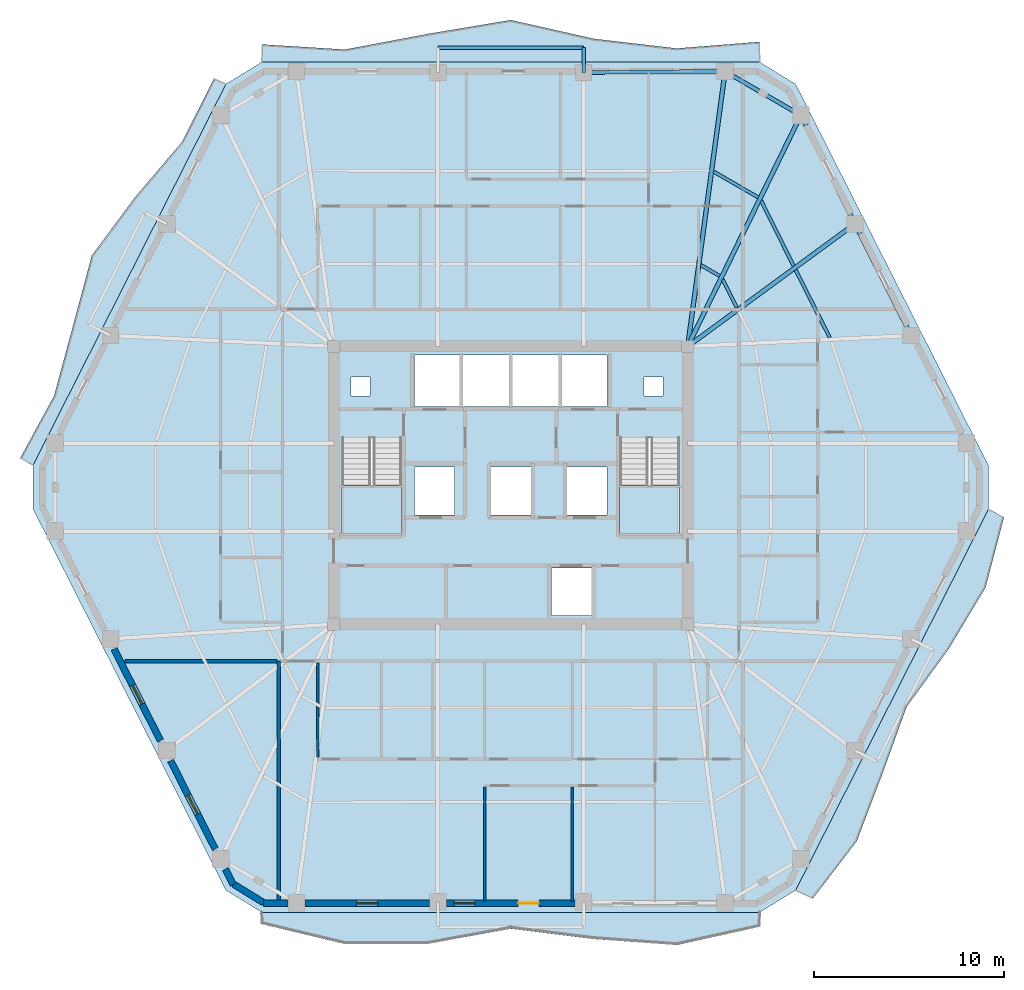
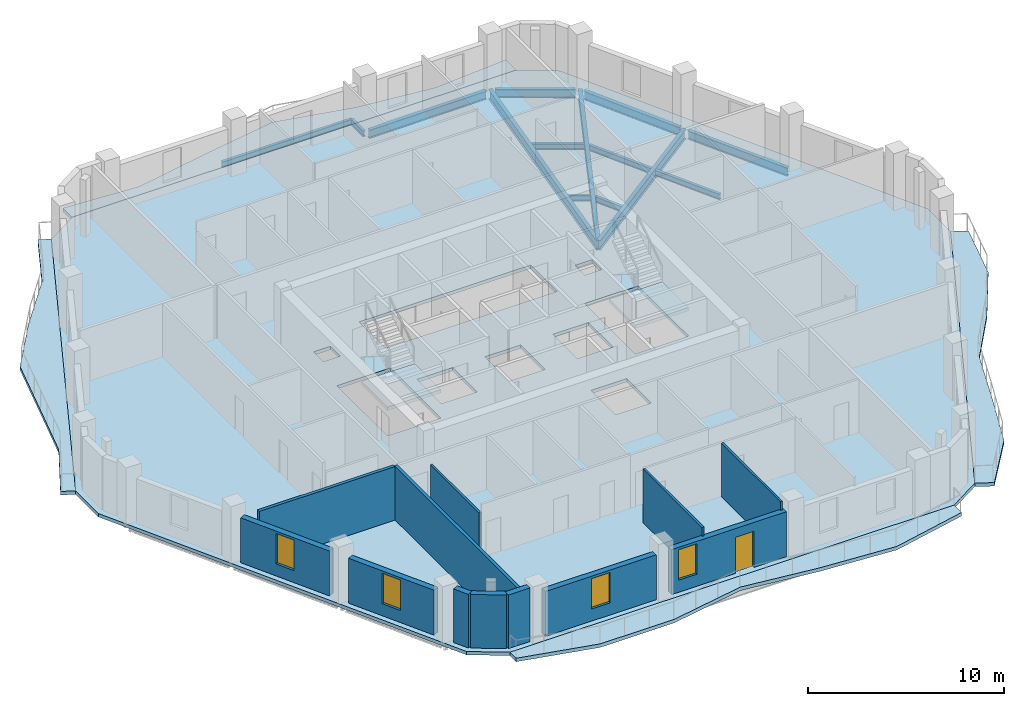
# One storey, part 3 of 10: 14 beams, 12 walls, 7 slabs, 4 windows, 1 door, 5 openings, 2 elements without a shape of their own.
"""IFC4 building model written with IfcOpenShell, lengths in metres."""

from ifc_helpers import new_model, si_unit, direction, frame, frame_2d, origin, origin_2d, place, context, subcontext, project, spatial, polyline, rectangle, i_section, outline, extrude, material, layer, layer_set, material_profile, profile_set, type_object, element, fill, aggregate, save


model = new_model("IFC4")

# Units and contexts
model_context = context("Model", 3, precision=1e-05, world=origin(), true_north=direction((0.0, 1.0)))
body_context = subcontext(model_context, "Body", "Model", "MODEL_VIEW")
ifc_project = project(units=[si_unit("LENGTHUNIT", "METRE"), si_unit("AREAUNIT", "SQUARE_METRE"), si_unit("VOLUMEUNIT", "CUBIC_METRE"), si_unit("PLANEANGLEUNIT", "RADIAN"), si_unit("MASSUNIT", "GRAM", prefix="KILO")], contexts=[model_context])

# Site, building, storey
site_placement = place(None, origin())
site = spatial("IfcSite", under=ifc_project, at=site_placement, CompositionType="ELEMENT")
building_placement = place(site_placement, origin())
building = spatial("IfcBuilding", under=site, at=building_placement, Name="Cinnabar Lancet Tower", CompositionType="ELEMENT")
storey_placement = place(building_placement, frame((0.0, 0.0, 160.60009765625)))
storey = spatial("IfcBuildingStorey", under=building, at=storey_placement, Name="L42", CompositionType="ELEMENT", Elevation=160.60009765625)

# Beams
ifc_material_1 = material(Name="Structural steel S355", Category="steel")
ifc_material_profile_1 = material_profile(ifc_material_1, i_section(OverallWidth=0.17138671875, OverallDepth=0.35498046875, WebThickness=0.00732421875, FlangeThickness=0.011474609375, FilletRadius=0.01025390625, at=origin_2d()), Name="UKB 356x171x51")
ifc_profile_set_1 = profile_set([ifc_material_profile_1], Name="Structural steel S355")
beam_type_1 = type_object("IfcBeamType", Name="STR-BM-JST-356", PredefinedType="JOIST", material=ifc_profile_set_1)
beam_1_placement = place(storey_placement, frame((49.1650390625, 33.679931640625, -0.38818359375), z_axis=(-0.450656035687, 0.892697674187, 0.0), x_axis=(-0.892697674187, -0.450656035687, 0.0)))
element("IfcBeam", 1, at=beam_1_placement, inside=storey, type_object=beam_type_1, Name="L42 Secondary Floor Joist 27", PredefinedType="JOIST", context=body_context, shape_type="SweptSolid", body=[
    extrude(i_section(OverallWidth=0.17138671875, OverallDepth=0.35498046875, WebThickness=0.00732421875, FlangeThickness=0.011474609375, FilletRadius=0.01025390625, at=origin_2d()), origin(), (0.0, 0.0, 1.0), 3.9677734375),
])
beam_2_placement = place(storey_placement, frame((47.27294921875, 37.427978515625, -0.38818359375), z_axis=(-0.4452962175, 0.895383313827, 0.0), x_axis=(-0.895383313827, -0.4452962175, 0.0)))
element("IfcBeam", 2, at=beam_2_placement, inside=storey, type_object=beam_type_1, Name="L42 Secondary Floor Joist 29", PredefinedType="JOIST", context=body_context, shape_type="SweptSolid", body=[
    extrude(i_section(OverallWidth=0.17138671875, OverallDepth=0.35498046875, WebThickness=0.00732421875, FlangeThickness=0.011474609375, FilletRadius=0.01025390625, at=origin_2d()), origin(), (0.0, 0.0, 1.0), 3.822021484375),
])
beam_3_placement = place(storey_placement, frame((44.284912109375, 35.237060546875, -0.38818359375), z_axis=(-0.445203586036, 0.895429375764, 0.0), x_axis=(-0.895429375764, -0.445203586036, 0.0)))
element("IfcBeam", 3, at=beam_3_placement, inside=storey, type_object=beam_type_1, Name="L42 Secondary Floor Joist 30", PredefinedType="JOIST", context=body_context, shape_type="SweptSolid", body=[
    extrude(i_section(OverallWidth=0.17138671875, OverallDepth=0.35498046875, WebThickness=0.00732421875, FlangeThickness=0.011474609375, FilletRadius=0.01025390625, at=origin_2d()), origin(), (0.0, 0.0, 1.0), 1.65283203125),
])
beam_4_placement = place(storey_placement, frame((45.407958984375, 41.035888671875, -0.38818359375), z_axis=(-0.865133760642, 0.501541200898, 0.0), x_axis=(-0.501541200898, -0.865133760642, 0.0)))
element("IfcBeam", 4, at=beam_4_placement, inside=storey, type_object=beam_type_1, Name="L42 Secondary Floor Joist 31", PredefinedType="JOIST", context=body_context, shape_type="SweptSolid", body=[
    extrude(i_section(OverallWidth=0.17138671875, OverallDepth=0.35498046875, WebThickness=0.00732421875, FlangeThickness=0.011474609375, FilletRadius=0.01025390625, at=origin_2d()), origin(), (0.0, 0.0, 1.0), 2.7060546875),
])
beam_5_placement = place(storey_placement, frame((43.385986328125, 36.904052734375, -0.38818359375), z_axis=(-0.865640778484, 0.500665599602, 0.0), x_axis=(-0.500665599602, -0.865640778484, 0.0)))
element("IfcBeam", 5, at=beam_5_placement, inside=storey, type_object=beam_type_1, Name="L42 Secondary Floor Joist 32", PredefinedType="JOIST", context=body_context, shape_type="SweptSolid", body=[
    extrude(i_section(OverallWidth=0.17138671875, OverallDepth=0.35498046875, WebThickness=0.00732421875, FlangeThickness=0.011474609375, FilletRadius=0.01025390625, at=origin_2d()), origin(), (0.0, 0.0, 1.0), 1.142578125),
])
ifc_material_2 = material(Name="Structural steel S355", Category="steel")
ifc_material_profile_2 = material_profile(ifc_material_2, i_section(OverallWidth=0.209228515625, OverallDepth=0.533203125, WebThickness=0.010009765625, FlangeThickness=0.015625, FilletRadius=0.0126953125, at=origin_2d()), Name="UKB 533x210x92")
ifc_profile_set_2 = profile_set([ifc_material_profile_2], Name="Structural steel S355")
beam_type_2 = type_object("IfcBeamType", Name="STR-BM-SPN-533", PredefinedType="SPANDREL", material=ifc_profile_set_2)
beam_6_placement = place(storey_placement, frame((53.339111328125, 33.9990234375, -0.47705078125), z_axis=(-0.450570325924, 0.892740937449, 0.0), x_axis=(-0.892740937449, -0.450570325924, 0.0)))
element("IfcBeam", 6, at=beam_6_placement, inside=storey, type_object=beam_type_2, Name="L42 Perimeter Spandrel 10", PredefinedType="SPANDREL", context=body_context, shape_type="SweptSolid", body=[
    extrude(i_section(OverallWidth=0.209228515625, OverallDepth=0.533203125, WebThickness=0.010009765625, FlangeThickness=0.015625, FilletRadius=0.0126953125, at=origin_2d()), origin(), (0.0, 0.0, 1.0), 6.07470703125),
])
beam_7_placement = place(storey_placement, frame((50.3779296875, 39.868896484375, -0.47705078125), z_axis=(-0.445501068635, 0.89528140707, 0.0), x_axis=(-0.89528140707, -0.445501068635, 0.0)))
element("IfcBeam", 7, at=beam_7_placement, inside=storey, type_object=beam_type_2, Name="L42 Perimeter Spandrel 11", PredefinedType="SPANDREL", context=body_context, shape_type="SweptSolid", body=[
    extrude(i_section(OverallWidth=0.209228515625, OverallDepth=0.533203125, WebThickness=0.010009765625, FlangeThickness=0.015625, FilletRadius=0.0126953125, at=origin_2d()), origin(), (0.0, 0.0, 1.0), 5.87646484375),
])
beam_8_placement = place(storey_placement, frame((47.43310546875, 45.47900390625, -0.47705078125), z_axis=(-0.865138129765, 0.5015336643, 0.0), x_axis=(-0.5015336643, -0.865138129765, 0.0)))
element("IfcBeam", 8, at=beam_8_placement, inside=storey, type_object=beam_type_2, Name="L42 Perimeter Spandrel 12", PredefinedType="SPANDREL", context=body_context, shape_type="SweptSolid", body=[
    extrude(i_section(OverallWidth=0.209228515625, OverallDepth=0.533203125, WebThickness=0.010009765625, FlangeThickness=0.015625, FilletRadius=0.0126953125, at=origin_2d()), origin(), (0.0, 0.0, 1.0), 4.10107421875),
])
beam_9_placement = place(storey_placement, frame((43.4189453125, 47.658935546875, -0.47705078125), z_axis=(-0.999975228682, -0.007038609338, 0.0), x_axis=(0.007038609338, -0.999975228682, 0.0)))
element("IfcBeam", 9, at=beam_9_placement, inside=storey, type_object=beam_type_2, Name="L42 Perimeter Spandrel 13", PredefinedType="SPANDREL", context=body_context, shape_type="SweptSolid", body=[
    extrude(i_section(OverallWidth=0.209228515625, OverallDepth=0.533203125, WebThickness=0.010009765625, FlangeThickness=0.015625, FilletRadius=0.0126953125, at=origin_2d()), origin(), (0.0, 0.0, 1.0), 6.937255859375),
])
ifc_material_3 = material(Name="Structural steel S355", Category="steel")
ifc_material_profile_3 = material_profile(ifc_material_3, i_section(OverallWidth=0.228271484375, OverallDepth=0.607666015625, WebThickness=0.010986328125, FlangeThickness=0.017333984375, FilletRadius=0.0126953125, at=origin_2d()), Name="UKB 610x229x113")
ifc_profile_set_3 = profile_set([ifc_material_profile_3], Name="Structural steel S355")
beam_type_3 = type_object("IfcBeamType", Name="STR-BM-UKB610-113", PredefinedType="BEAM", material=ifc_profile_set_3)
beam_10_placement = place(storey_placement, frame((50.489013671875, 39.64501953125, -0.51416015625), z_axis=(-0.806415678013, -0.591349096774, 0.0), x_axis=(0.591349096774, -0.806415678013, 0.0)))
element("IfcBeam", 10, at=beam_10_placement, inside=storey, type_object=beam_type_3, Name="L42 Corner Collector Girder 3", PredefinedType="BEAM", context=body_context, shape_type="SweptSolid", body=[
    extrude(i_section(OverallWidth=0.228271484375, OverallDepth=0.607666015625, WebThickness=0.010986328125, FlangeThickness=0.017333984375, FilletRadius=0.0126953125, at=origin_2d()), origin(), (0.0, 0.0, 1.0), 10.89892578125),
])
beam_11_placement = place(storey_placement, frame((47.64892578125, 45.35400390625, -0.51416015625), z_axis=(-0.43962719145, -0.898180345219, 0.0), x_axis=(0.898180345219, -0.43962719145, 0.0)))
element("IfcBeam", 11, at=beam_11_placement, inside=storey, type_object=beam_type_3, Name="L42 Primary Floor Girder 12", PredefinedType="BEAM", context=body_context, shape_type="SweptSolid", body=[
    extrude(i_section(OverallWidth=0.228271484375, OverallDepth=0.607666015625, WebThickness=0.010986328125, FlangeThickness=0.017333984375, FilletRadius=0.0126953125, at=origin_2d()), origin(), (0.0, 0.0, 1.0), 13.531982421875),
])
beam_12_placement = place(storey_placement, frame((43.6689453125, 47.660888671875, -0.51416015625), z_axis=(-0.134914632731, -0.990857225777, 0.0), x_axis=(0.990857225777, -0.134914632731, 0.0)))
element("IfcBeam", 12, at=beam_12_placement, inside=storey, type_object=beam_type_3, Name="L42 Primary Floor Girder 13", PredefinedType="BEAM", context=body_context, shape_type="SweptSolid", body=[
    extrude(i_section(OverallWidth=0.228271484375, OverallDepth=0.607666015625, WebThickness=0.010986328125, FlangeThickness=0.017333984375, FilletRadius=0.0126953125, at=origin_2d()), origin(), (0.0, 0.0, 1.0), 14.594482421875),
])
ifc_material_4 = material(Name="Structural steel S355", Category="steel")
ifc_material_profile_4 = material_profile(ifc_material_4, i_section(OverallWidth=0.17138671875, OverallDepth=0.35498046875, WebThickness=0.00732421875, FlangeThickness=0.011474609375, FilletRadius=0.01025390625, at=origin_2d()), Name="UKB 356x171x51")
ifc_profile_set_4 = profile_set([ifc_material_profile_4], Name="Structural steel S355")
beam_type_4 = type_object("IfcBeamType", Name="STR-BM-WAV-OUT", PredefinedType="BEAM", material=ifc_profile_set_4)
beam_13_placement = place(storey_placement, frame((36.23193359375, 47.60791015625, -0.398193359375), z_axis=(0.0, 1.0, 0.0), x_axis=(-1.0, 0.0, 0.0)))
element("IfcBeam", 13, at=beam_13_placement, inside=storey, type_object=beam_type_4, Name="L42 Face 4 Balcony Outlooker A", PredefinedType="BEAM", context=body_context, shape_type="SweptSolid", body=[
    extrude(i_section(OverallWidth=0.17138671875, OverallDepth=0.35498046875, WebThickness=0.00732421875, FlangeThickness=0.011474609375, FilletRadius=0.01025390625, at=origin_2d()), origin(), (0.0, 0.0, 1.0), 1.300048828125),
])
ifc_material_5 = material(Name="Structural steel S355", Category="steel")
ifc_material_profile_5 = material_profile(ifc_material_5, i_section(OverallWidth=0.17138671875, OverallDepth=0.35498046875, WebThickness=0.00732421875, FlangeThickness=0.011474609375, FilletRadius=0.01025390625, at=origin_2d()), Name="UKB 356x171x51")
ifc_profile_set_5 = profile_set([ifc_material_profile_5], Name="Structural steel S355")
beam_type_5 = type_object("IfcBeamType", Name="STR-BM-WAV-TRIM", PredefinedType="SPANDREL", material=ifc_profile_set_5)
beam_14_placement = place(storey_placement, frame((36.23193359375, 48.907958984375, -0.398193359375), z_axis=(-1.0, 0.0, 0.0), x_axis=(0.0, -1.0, 0.0)))
element("IfcBeam", 14, at=beam_14_placement, inside=storey, type_object=beam_type_5, Name="L42 Face 4 Balcony Edge Trimmer", PredefinedType="SPANDREL", context=body_context, shape_type="SweptSolid", body=[
    extrude(i_section(OverallWidth=0.17138671875, OverallDepth=0.35498046875, WebThickness=0.00732421875, FlangeThickness=0.011474609375, FilletRadius=0.01025390625, at=origin_2d()), origin(), (0.0, 0.0, 1.0), 7.663818359375),
])

# Stair, slab
ifc_material_6 = material(Name="Concrete C40/50", Category="concrete")
stair_type = type_object("IfcStairType", Name="ST-CORE", PredefinedType="HALF_TURN_STAIR", material=ifc_material_6)
stair_1_placement = place(storey_placement, origin())
stair_1 = element("IfcStair", 15, at=stair_1_placement, inside=storey, type_object=stair_type, Name="L42 ST-1", PredefinedType="HALF_TURN_STAIR")
ifc_material_7 = material(Name="Concrete C40/50", Category="concrete")
ifc_layer_1 = layer(ifc_material_7, 0.199951171875)
ifc_layer_set_1 = layer_set([ifc_layer_1], Name="Concrete C40/50")
slab_type_1 = type_object("IfcSlabType", Name="LANDING-CORE", PredefinedType="LANDING", material=ifc_layer_set_1)
slab_1_placement = place(storey_placement, frame((0.0, 0.0, 1.574951171875)))
slab_1 = element("IfcSlab", 16, at=slab_1_placement, type_object=slab_type_1, Name="ST-1 landing 1", PredefinedType="LANDING", context=body_context, shape_type="SweptSolid", body=[
    extrude(outline(polyline([(23.52490234375, 25.925048828125), (23.52490234375, 23.25), (26.675048828125, 23.25), (26.675048828125, 25.925048828125), (23.52490234375, 25.925048828125)])), origin(), (0.0, 0.0, 1.0), 0.199951171875),
])
aggregate(stair_1, [slab_1])

stair_2_placement = place(storey_placement, origin())
stair_2 = element("IfcStair", 17, at=stair_2_placement, inside=storey, type_object=stair_type, Name="L42 ST-2", PredefinedType="HALF_TURN_STAIR")
slab_2_placement = place(storey_placement, frame((0.0, 0.0, 1.574951171875)))
slab_2 = element("IfcSlab", 18, at=slab_2_placement, type_object=slab_type_1, Name="ST-2 landing 1", PredefinedType="LANDING", context=body_context, shape_type="SweptSolid", body=[
    extrude(outline(polyline([(38.125, 25.925048828125), (38.125, 23.25), (41.27490234375, 23.25), (41.27490234375, 25.925048828125), (38.125, 25.925048828125)])), origin(), (0.0, 0.0, 1.0), 0.199951171875),
])
aggregate(stair_2, [slab_2])

# Slabs
ifc_material_8 = material(Name="Concrete C40/50", Category="concrete")
ifc_layer_2 = layer(ifc_material_8, 0.2099609375)
ifc_layer_set_2 = layer_set([ifc_layer_2], Name="Concrete C40/50")
slab_type_2 = type_object("IfcSlabType", Name="STR-SLB-FLR-210", PredefinedType="FLOOR", material=ifc_layer_set_2)
slab_3_placement = place(storey_placement, frame((0.0, 0.0, -0.210205078125)))
element("IfcSlab", 19, at=slab_3_placement, inside=storey, type_object=slab_type_2, Name="L42 Structural Floor Slab", PredefinedType="FLOOR", context=body_context, shape_type="SweptSolid", body=[
    extrude(outline(polyline([(17.4208984375, 4.610107421875), (19.30810546875, 3.449951171875), (45.491943359375, 3.449951171875), (47.37890625, 4.610107421875), (57.512939453125, 24.639892578125), (57.512939453125, 26.9599609375), (47.37890625, 46.989990234375), (45.491943359375, 48.14990234375), (19.30810546875, 48.14990234375), (17.4208984375, 46.989990234375), (7.287109375, 26.9599609375), (7.287109375, 24.639892578125), (17.4208984375, 4.610107421875)]), holes=[polyline([(23.52490234375, 23.25), (26.675048828125, 23.25), (26.675048828125, 28.3994140625), (23.52490234375, 28.3994140625), (23.52490234375, 23.25)]), polyline([(38.125, 23.25), (41.27490234375, 23.25), (41.27490234375, 28.3994140625), (38.125, 28.3994140625), (38.125, 23.25)]), polyline([(27.35009765625, 30.050048828125), (37.449951171875, 30.050048828125), (37.449951171875, 32.75), (27.35009765625, 32.75), (27.35009765625, 30.050048828125)]), polyline([(34.550048828125, 19.050048828125), (36.64990234375, 19.050048828125), (36.64990234375, 21.550048828125), (34.550048828125, 21.550048828125), (34.550048828125, 19.050048828125)]), polyline([(27.35009765625, 24.35009765625), (29.449951171875, 24.35009765625), (29.449951171875, 26.85009765625), (27.35009765625, 26.85009765625), (27.35009765625, 24.35009765625)]), polyline([(35.35009765625, 24.35009765625), (37.449951171875, 24.35009765625), (37.449951171875, 26.85009765625), (35.35009765625, 26.85009765625), (35.35009765625, 24.35009765625)]), polyline([(31.35009765625, 24.35009765625), (33.449951171875, 24.35009765625), (33.449951171875, 26.85009765625), (31.35009765625, 26.85009765625), (31.35009765625, 24.35009765625)]), polyline([(24.0, 30.60009765625), (25.0, 30.60009765625), (25.0, 31.60009765625), (24.0, 31.60009765625), (24.0, 30.60009765625)]), polyline([(39.39990234375, 30.60009765625), (40.39990234375, 30.60009765625), (40.39990234375, 31.60009765625), (39.39990234375, 31.60009765625), (39.39990234375, 30.60009765625)])]), origin(), (0.0, 0.0, 1.0), 0.210205078125),
])
ifc_material_9 = material(Name="Concrete C45/55", Category="concrete")
ifc_layer_3 = layer(ifc_material_9, 0.219970703125)
ifc_layer_set_3 = layer_set([ifc_layer_3], Name="Concrete C45/55")
slab_type_3 = type_object("IfcSlabType", Name="STR-SLB-WAV-220", PredefinedType="FLOOR", material=ifc_layer_set_3)
slab_4_placement = place(storey_placement, frame((0.0, 0.0, -0.22021484375)))
element("IfcSlab", 20, at=slab_4_placement, inside=storey, type_object=slab_type_3, Name="L42 Face 1 Undulating Wave Balcony Slab", PredefinedType="FLOOR", context=body_context, shape_type="SweptSolid", body=[
    extrude(outline(polyline([(19.30810546875, 3.449951171875), (19.30810546875, 2.825927734375), (23.672119140625, 1.784912109375), (28.035888671875, 1.787109375), (32.39990234375, 2.5859375), (36.763916015625, 2.041015625), (41.1279296875, 1.72607421875), (45.491943359375, 2.68994140625), (45.491943359375, 3.449951171875), (19.30810546875, 3.449951171875)])), origin(), (0.0, 0.0, 1.0), 0.22021484375),
])
slab_5_placement = place(storey_placement, frame((0.0, 0.0, -0.22021484375)))
element("IfcSlab", 21, at=slab_5_placement, inside=storey, type_object=slab_type_3, Name="L42 Face 2 Undulating Wave Balcony Slab", PredefinedType="FLOOR", context=body_context, shape_type="SweptSolid", body=[
    extrude(outline(polyline([(47.37890625, 4.610107421875), (48.27197265625, 4.157958984375), (50.5849609375, 7.180908203125), (51.924072265625, 10.696044921875), (53.2080078125, 14.239013671875), (55.431884765625, 17.306884765625), (57.362060546875, 20.52294921875), (58.33203125, 24.22607421875), (57.512939453125, 24.639892578125), (47.37890625, 4.610107421875)])), origin(), (0.0, 0.0, 1.0), 0.22021484375),
])
slab_6_placement = place(storey_placement, frame((0.0, 0.0, -0.22021484375)))
element("IfcSlab", 22, at=slab_6_placement, inside=storey, type_object=slab_type_3, Name="L42 Face 4 Undulating Wave Balcony Slab", PredefinedType="FLOOR", context=body_context, shape_type="SweptSolid", body=[
    extrude(outline(polyline([(45.491943359375, 48.14990234375), (45.491943359375, 49.218994140625), (41.1279296875, 48.8701171875), (36.763916015625, 49.37890625), (32.39990234375, 50.364013671875), (28.035888671875, 49.633056640625), (23.672119140625, 48.81103515625), (19.30810546875, 49.08203125), (19.30810546875, 48.14990234375), (45.491943359375, 48.14990234375)])), origin(), (0.0, 0.0, 1.0), 0.22021484375),
])
slab_7_placement = place(storey_placement, frame((0.0, 0.0, -0.22021484375)))
element("IfcSlab", 23, at=slab_7_placement, inside=storey, type_object=slab_type_3, Name="L42 Face 5 Undulating Wave Balcony Slab", PredefinedType="FLOOR", context=body_context, shape_type="SweptSolid", body=[
    extrude(outline(polyline([(17.4208984375, 46.989990234375), (16.802978515625, 47.302978515625), (15.1201171875, 43.9609375), (12.62890625, 41.029052734375), (10.3701171875, 37.97900390625), (9.382080078125, 34.285888671875), (8.385986328125, 30.596923828125), (6.595947265625, 27.31005859375), (7.287109375, 26.9599609375), (17.4208984375, 46.989990234375)])), origin(), (0.0, 0.0, 1.0), 0.22021484375),
])

# Walls
ifc_material_10 = material(Name="Fire-rated twin-frame acoustic drywall", Category="gypsum")
ifc_layer_4 = layer(ifc_material_10, 0.179931640625)
ifc_layer_set_4 = layer_set([ifc_layer_4], Name="Fire-rated twin-frame acoustic drywall")
wall_type_1 = type_object("IfcWallType", Name="ARC-WL-PARTY-180", PredefinedType="PARTITIONING", material=ifc_layer_set_4)
wall_1_placement = place(storey_placement, frame((20.199951171875, 4.10498046875, 0.0), z_axis=(0.0, 0.0, 1.0), x_axis=(0.0, 1.0, 0.0)))
element("IfcWall", 24, at=wall_1_placement, inside=storey, type_object=wall_type_1, Name="PW-L42-SPTY-202", PredefinedType="PARTITIONING", context=body_context, shape_type="SweptSolid", body=[
    extrude(rectangle(XDim=12.544921875, YDim=0.179931640625, at=frame_2d((6.2724609375, 0.0))), origin(), (0.0, 0.0, 1.0), 3.33984375),
])
wall_2_placement = place(storey_placement, frame((12.10888671875, 16.64990234375, 0.0), z_axis=(0.0, 0.0, 1.0), x_axis=(1.0, 0.0, 0.0)))
element("IfcWall", 25, at=wall_2_placement, inside=storey, type_object=wall_type_1, Name="PW-L42-WSB", PredefinedType="PARTITIONING", context=body_context, shape_type="SweptSolid", body=[
    extrude(rectangle(XDim=7.99609375, YDim=0.179931640625, at=frame_2d((3.998046875, 0.0))), origin(), (0.0, 0.0, 1.0), 3.33984375),
])
ifc_material_11 = material(Name="Gypsum plasterboard stud partition", Category="gypsum")
ifc_layer_5 = layer(ifc_material_11, 0.125)
ifc_layer_set_5 = layer_set([ifc_layer_5], Name="Gypsum plasterboard stud partition")
wall_type_2 = type_object("IfcWallType", Name="ARC-WL-UNIT-125", PredefinedType="PARTITIONING", material=ifc_layer_set_5)
wall_3_placement = place(storey_placement, frame((22.25, 11.612060546875, 0.0), z_axis=(0.0, 0.0, 1.0), x_axis=(0.0, 1.0, 0.0)))
element("IfcWall", 26, at=wall_3_placement, inside=storey, type_object=wall_type_2, Name="UW-L42-S01-FOYE", PredefinedType="PARTITIONING", context=body_context, shape_type="SweptSolid", body=[
    extrude(rectangle(XDim=4.952880859375, YDim=0.125, at=frame_2d((2.4765625, 0.0))), origin(), (0.0, 0.0, 1.0), 2.721923828125),
])
for number, where, z_axis, x_axis, name in (
    (27, (31.02294921875, 4.014892578125, 0.0), (0.0, 0.0, 1.0), (0.0, 1.0, 0.0), "UW-L42-S01-BD2W"),
    (28, (35.638916015625, 4.014892578125, 0.0), (0.0, 0.0, 1.0), (0.0, 1.0, 0.0), "UW-L42-S01-MB2W"),
):
    element("IfcWall", number, at=place(storey_placement, frame(where, z_axis=z_axis, x_axis=x_axis)), inside=storey, type_object=wall_type_2, Name=name, PredefinedType="PARTITIONING", context=body_context, shape_type="SweptSolid", body=[
        extrude(rectangle(XDim=6.027099609375, YDim=0.125, at=frame_2d((3.013671875, 0.0))), origin(), (0.0, 0.0, 1.0), 3.33984375),
    ])
ifc_material_12 = material(Name="Cinnabar red clay brick", Category="masonry")
ifc_layer_6 = layer(ifc_material_12, 0.340087890625)
ifc_layer_set_6 = layer_set([ifc_layer_6], Name="Cinnabar red clay brick")
wall_type_3 = type_object("IfcWallType", Name="ENV-WL-BRK-RED-340", PredefinedType="STANDARD", material=ifc_layer_set_6)
wall_4_placement = place(storey_placement, frame((17.8291015625, 4.923095703125, 0.0), z_axis=(0.0, 0.0, 1.0), x_axis=(0.851798915137, -0.523868884523, 0.0)))
element("IfcWall", 29, at=wall_4_placement, inside=storey, type_object=wall_type_3, Name="L42 Chamfered Corner Brick Pier 1.1", PredefinedType="STANDARD", context=body_context, shape_type="SweptSolid", body=[
    extrude(rectangle(XDim=1.847900390625, YDim=0.340087890625, at=frame_2d((0.923828125, 0.0))), origin(), (0.0, 0.0, 1.0), 3.33984375),
])
wall_5_placement = place(storey_placement, frame((19.39794921875, 3.929931640625, 0.0), z_axis=(0.0, 0.0, 1.0), x_axis=(1.0, 0.0, 0.0)))
element("IfcWall", 30, at=wall_5_placement, inside=storey, type_object=wall_type_3, Name="L42 Face 1 Masonry Bay Wall 1", PredefinedType="STANDARD", context=body_context, shape_type="SweptSolid", body=[
    extrude(rectangle(XDim=1.279052734375, YDim=0.340087890625, at=frame_2d((0.6396484375, 0.0))), origin(), (0.0, 0.0, 1.0), 3.33984375),
])

# Wall, opening, window
wall_6_placement = place(storey_placement, frame((21.5849609375, 3.929931640625, 0.0), z_axis=(0.0, 0.0, 1.0), x_axis=(1.0, 0.0, 0.0)))
wall_6 = element("IfcWall", 31, at=wall_6_placement, inside=storey, type_object=wall_type_3, Name="L42 Face 1 Masonry Bay Wall 2", PredefinedType="STANDARD", context=body_context, shape_type="SweptSolid", body=[
    extrude(rectangle(XDim=6.529052734375, YDim=0.340087890625, at=frame_2d((3.2646484375, 0.0))), origin(), (0.0, 0.0, 1.0), 2.796875),
])
opening_1_placement = place(wall_6_placement, frame((2.715087890625, 0.0, 0.75)))
opening_1 = element("IfcOpeningElement", 32, at=opening_1_placement, cuts=wall_6, Name="Opening WN-04", PredefinedType="OPENING", context=body_context, shape_type="SweptSolid", body=[
    extrude(rectangle(XDim=1.10009765625, YDim=1.89697265625, at=frame_2d((0.550048828125, 0.948486328125))), frame((0.0, 0.179931640625, 0.0), z_axis=(0.0, -1.0, 0.0), x_axis=(1.0, 0.0, 0.0)), (0.0, 0.0, 1.0), 0.360107421875),
])
ifc_material_13 = material(Name="Thermally broken bronze-anodized aluminium tall lancet window", Category="aluminium")
window_type = type_object("IfcWindowType", Name="ENV-WN-LANCET-1100", PartitioningType="SINGLE_PANEL", PredefinedType="WINDOW", material=ifc_material_13)
window_1_placement = place(opening_1_placement, origin())
window_1 = element("IfcWindow", 33, at=window_1_placement, inside=storey, type_object=window_type, Name="L42 Face 1 Gothic Lancet Window 2", OverallHeight=1.89697265625, OverallWidth=1.10009765625, PartitioningType="SINGLE_PANEL", PredefinedType="WINDOW", context=body_context, shape_type="SweptSolid", body=[
    extrude(rectangle(XDim=1.10009765625, YDim=1.89697265625, at=frame_2d((0.550048828125, 0.948486328125))), frame((0.0, 0.030029296875, 0.0), z_axis=(0.0, -1.0, 0.0), x_axis=(1.0, 0.0, 0.0)), (0.0, 0.0, 1.0), 0.06005859375),
])
fill(opening_1, window_1)

# Wall, openings, door, window
wall_7_placement = place(storey_placement, frame((29.02197265625, 3.929931640625, 0.0), z_axis=(0.0, 0.0, 1.0), x_axis=(1.0, 0.0, 0.0)))
wall_7 = element("IfcWall", 34, at=wall_7_placement, inside=storey, type_object=wall_type_3, Name="L42 Face 1 Masonry Bay Wall 3", PredefinedType="STANDARD", context=body_context, shape_type="SweptSolid", body=[
    extrude(rectangle(XDim=6.756103515625, YDim=0.340087890625, at=frame_2d((3.3779296875, 0.0))), origin(), (0.0, 0.0, 1.0), 2.796875),
])
opening_2_placement = place(wall_7_placement, frame((3.759033203125, 0.0, 0.0)))
opening_2 = element("IfcOpeningElement", 35, at=opening_2_placement, cuts=wall_7, Name="Opening TD-01", PredefinedType="OPENING", context=body_context, shape_type="SweptSolid", body=[
    extrude(rectangle(XDim=1.10009765625, YDim=2.25, at=frame_2d((0.550048828125, 1.125))), frame((0.0, 0.179931640625, 0.0), z_axis=(0.0, -1.0, 0.0), x_axis=(1.0, 0.0, 0.0)), (0.0, 0.0, 1.0), 0.360107421875),
])
opening_3_placement = place(wall_7_placement, frame((0.39404296875, 0.0, 0.75)))
opening_3 = element("IfcOpeningElement", 36, at=opening_3_placement, cuts=wall_7, Name="Opening WN-04", PredefinedType="OPENING", context=body_context, shape_type="SweptSolid", body=[
    extrude(rectangle(XDim=1.10009765625, YDim=1.89697265625, at=frame_2d((0.550048828125, 0.948486328125))), frame((0.0, 0.179931640625, 0.0), z_axis=(0.0, -1.0, 0.0), x_axis=(1.0, 0.0, 0.0)), (0.0, 0.0, 1.0), 0.360107421875),
])
ifc_material_14 = material(Name="Thermally broken low-E glazed balcony terrace door", Category="wood")
door_type = type_object("IfcDoorType", Name="ARC-DR-BALC", OperationType="NOTDEFINED", PredefinedType="DOOR", material=ifc_material_14)
door_placement = place(opening_2_placement, origin())
door = element("IfcDoor", 37, at=door_placement, inside=storey, type_object=door_type, Name="L42 Face 1 Glazed Terrace Door", OperationType="SINGLE_SWING_RIGHT", OverallHeight=2.25, OverallWidth=1.10009765625, PredefinedType="DOOR", context=body_context, shape_type="SweptSolid", body=[
    extrude(rectangle(XDim=1.10009765625, YDim=2.25, at=frame_2d((0.550048828125, 1.125))), frame((0.0, 0.02490234375, 0.0), z_axis=(0.0, -1.0, 0.0), x_axis=(1.0, 0.0, 0.0)), (0.0, 0.0, 1.0), 0.050048828125),
])
fill(opening_2, door)
window_2_placement = place(opening_3_placement, origin())
window_2 = element("IfcWindow", 38, at=window_2_placement, inside=storey, type_object=window_type, Name="L42 Split-Bay Gothic Lancet Window 120", OverallHeight=1.89697265625, OverallWidth=1.10009765625, PartitioningType="SINGLE_PANEL", PredefinedType="WINDOW", context=body_context, shape_type="SweptSolid", body=[
    extrude(rectangle(XDim=1.10009765625, YDim=1.89697265625, at=frame_2d((0.550048828125, 0.948486328125))), frame((0.0, 0.030029296875, 0.0), z_axis=(0.0, -1.0, 0.0), x_axis=(1.0, 0.0, 0.0)), (0.0, 0.0, 1.0), 0.06005859375),
])
fill(opening_3, window_2)

# Wall, opening, window
wall_8_placement = place(storey_placement, frame((11.5419921875, 17.29296875, 0.0), z_axis=(0.0, 0.0, 1.0), x_axis=(0.451491174807, -0.892275584711, 0.0)))
wall_8 = element("IfcWall", 39, at=wall_8_placement, inside=storey, type_object=wall_type_3, Name="L42 Face 6 Masonry Bay Wall 3", PredefinedType="STANDARD", context=body_context, shape_type="SweptSolid", body=[
    extrude(rectangle(XDim=5.404296875, YDim=0.340087890625, at=frame_2d((2.7021484375, 0.0))), origin(), (0.0, 0.0, 1.0), 2.796875),
])
opening_4_placement = place(wall_8_placement, frame((2.152099609375, 0.0, 0.75)))
opening_4 = element("IfcOpeningElement", 40, at=opening_4_placement, cuts=wall_8, Name="Opening WN-04", PredefinedType="OPENING", context=body_context, shape_type="SweptSolid", body=[
    extrude(rectangle(XDim=1.10009765625, YDim=1.89697265625, at=frame_2d((0.550048828125, 0.948486328125))), frame((0.0, 0.179931640625, 0.0), z_axis=(0.0, -1.0, 0.0), x_axis=(1.0, 0.0, 0.0)), (0.0, 0.0, 1.0), 0.360107421875),
])
window_3_placement = place(opening_4_placement, origin())
window_3 = element("IfcWindow", 41, at=window_3_placement, inside=storey, type_object=window_type, Name="L42 Face 6 Gothic Lancet Window 3", OverallHeight=1.89697265625, OverallWidth=1.10009765625, PartitioningType="SINGLE_PANEL", PredefinedType="WINDOW", context=body_context, shape_type="SweptSolid", body=[
    extrude(rectangle(XDim=1.10009765625, YDim=1.89697265625, at=frame_2d((0.550048828125, 0.948486328125))), frame((0.0, 0.030029296875, 0.0), z_axis=(0.0, -1.0, 0.0), x_axis=(1.0, 0.0, 0.0)), (0.0, 0.0, 1.0), 0.06005859375),
])
fill(opening_4, window_3)

wall_9_placement = place(storey_placement, frame((14.510986328125, 11.424072265625, 0.0), z_axis=(0.0, 0.0, 1.0), x_axis=(0.451595734115, -0.892222670038, 0.0)))
wall_9 = element("IfcWall", 42, at=wall_9_placement, inside=storey, type_object=wall_type_3, Name="L42 Face 6 Masonry Bay Wall 4", PredefinedType="STANDARD", context=body_context, shape_type="SweptSolid", body=[
    extrude(rectangle(XDim=5.208251953125, YDim=0.340087890625, at=frame_2d((2.60400390625, 0.0))), origin(), (0.0, 0.0, 1.0), 2.796875),
])
opening_5_placement = place(wall_9_placement, frame((2.053955078125, 0.0, 0.75)))
opening_5 = element("IfcOpeningElement", 43, at=opening_5_placement, cuts=wall_9, Name="Opening WN-04", PredefinedType="OPENING", context=body_context, shape_type="SweptSolid", body=[
    extrude(rectangle(XDim=1.10009765625, YDim=1.89697265625, at=frame_2d((0.550048828125, 0.948486328125))), frame((0.0, 0.179931640625, 0.0), z_axis=(0.0, -1.0, 0.0), x_axis=(1.0, 0.0, 0.0)), (0.0, 0.0, 1.0), 0.360107421875),
])
window_4_placement = place(opening_5_placement, origin())
window_4 = element("IfcWindow", 44, at=window_4_placement, inside=storey, type_object=window_type, Name="L42 Face 6 Gothic Lancet Window 4", OverallHeight=1.89697265625, OverallWidth=1.10009765625, PartitioningType="SINGLE_PANEL", PredefinedType="WINDOW", context=body_context, shape_type="SweptSolid", body=[
    extrude(rectangle(XDim=1.10009765625, YDim=1.89697265625, at=frame_2d((0.550048828125, 0.948486328125))), frame((0.0, 0.030029296875, 0.0), z_axis=(0.0, -1.0, 0.0), x_axis=(1.0, 0.0, 0.0)), (0.0, 0.0, 1.0), 0.06005859375),
])
fill(opening_5, window_4)

# Wall
wall_10_placement = place(storey_placement, frame((17.39990234375, 5.715087890625, 0.0), z_axis=(0.0, 0.0, 1.0), x_axis=(0.45173600575, -0.892151658133, 0.0)))
element("IfcWall", 45, at=wall_10_placement, inside=storey, type_object=wall_type_3, Name="L42 Face 6 Masonry Bay Wall 5", PredefinedType="STANDARD", context=body_context, shape_type="SweptSolid", body=[
    extrude(rectangle(XDim=0.90576171875, YDim=0.340087890625, at=frame_2d((0.452880859375, 0.0))), origin(), (0.0, 0.0, 1.0), 3.33984375),
])

save(model, "model.ifc")
